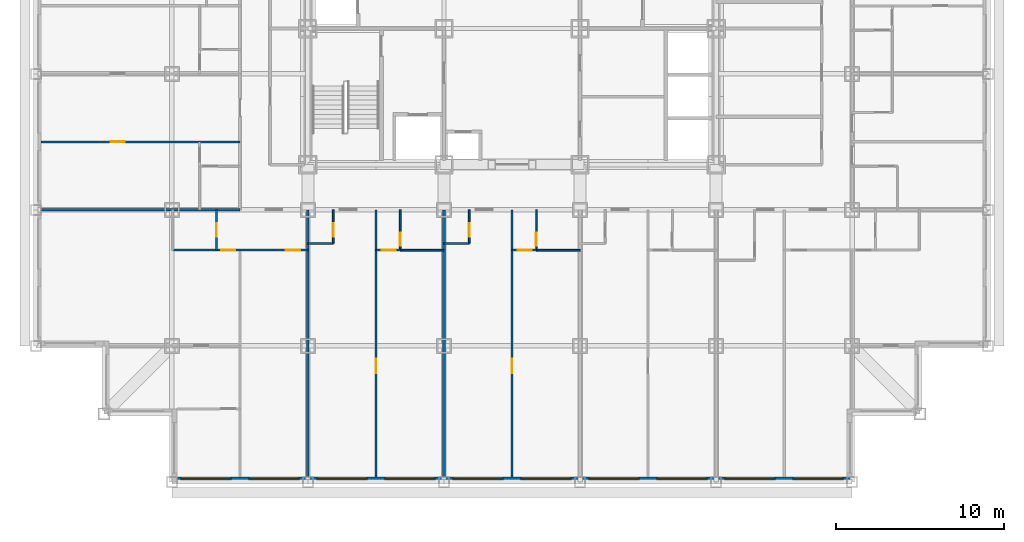
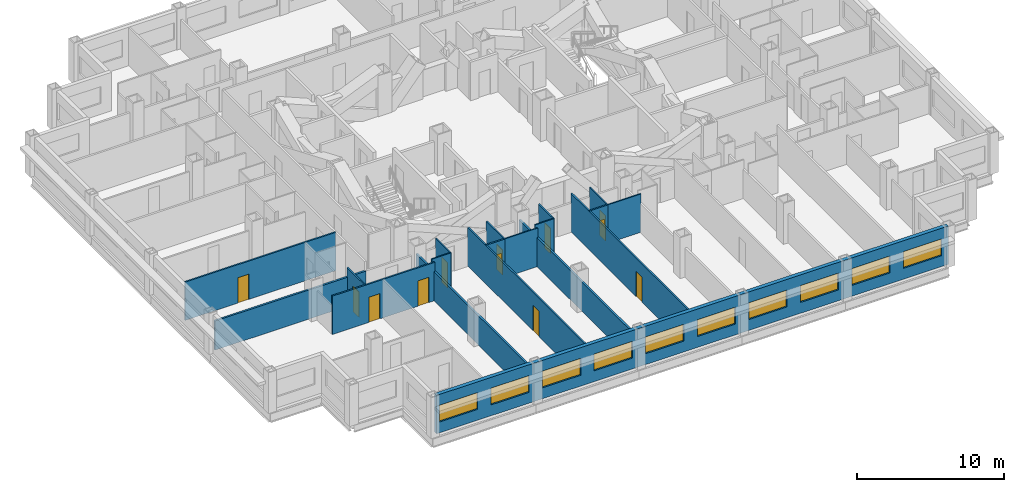
# One storey, part 4 of 12: 19 walls, 12 doors, 10 windows, 22 openings.
"""IFC4 building model written with IfcOpenShell, lengths in metres."""

from ifc_helpers import new_model, si_unit, direction, frame, frame_2d, origin, place, context, subcontext, project, spatial, rectangle, extrude, material, layer, layer_set, type_object, element, fill, save


model = new_model("IFC4")

# Units and contexts
model_context = context("Model", 3, precision=1e-05, world=origin(), true_north=direction((0.0, 1.0)))
body_context = subcontext(model_context, "Body", "Model", "MODEL_VIEW")
ifc_project = project(units=[si_unit("LENGTHUNIT", "METRE"), si_unit("AREAUNIT", "SQUARE_METRE"), si_unit("VOLUMEUNIT", "CUBIC_METRE"), si_unit("PLANEANGLEUNIT", "RADIAN"), si_unit("MASSUNIT", "GRAM", prefix="KILO")], contexts=[model_context])

# Site, building, storey
site_placement = place(None, origin())
site = spatial("IfcSite", under=ifc_project, at=site_placement, CompositionType="ELEMENT")
building_placement = place(site_placement, origin())
building = spatial("IfcBuilding", under=site, at=building_placement, Name="Kopane Lantern Tower", CompositionType="ELEMENT")
storey_placement = place(building_placement, frame((0.0, 0.0, 147.60009765625)))
storey = spatial("IfcBuildingStorey", under=building, at=storey_placement, Name="L38", CompositionType="ELEMENT", Elevation=147.60009765625)

# Wall, opening, door
ifc_material_1 = material(Name="Gypsum board on steel studs", Category="steel")
ifc_layer_1 = layer(ifc_material_1, 0.1201171875)
ifc_layer_set_1 = layer_set([ifc_layer_1], Name="APARTMENT INTERNAL WALL 120")
wall_type_1 = type_object("IfcWallType", Name="APARTMENT INTERNAL WALL 120", PredefinedType="PARTITIONING", material=ifc_layer_set_1)
wall_1_placement = place(storey_placement, frame((20.25, 21.60009765625, 0.0), z_axis=(0.0, 0.0, 1.0), x_axis=(0.0, -1.0, 0.0)))
wall_1 = element("IfcWall", 1, at=wall_1_placement, inside=storey, type_object=wall_type_1, Name="Apartment Internal Wall 120 L38", PredefinedType="PARTITIONING", context=body_context, shape_type="SweptSolid", body=[
    extrude(rectangle(XDim=15.900146484375, YDim=0.1201171875, at=frame_2d((7.9501953125, 0.0))), origin(), (0.0, 0.0, 1.0), 3.18994140625),
])
opening_1_placement = place(wall_1_placement, frame((8.875, 0.0, 0.0)))
opening_1 = element("IfcOpeningElement", 2, at=opening_1_placement, cuts=wall_1, Name="Opening L38-015", PredefinedType="OPENING", context=body_context, shape_type="SweptSolid", body=[
    extrude(rectangle(XDim=0.85009765625, YDim=2.10009765625, at=frame_2d((0.425048828125, 1.050048828125))), frame((0.0, 0.070068359375, 0.0), z_axis=(0.0, -1.0, 0.0), x_axis=(1.0, 0.0, 0.0)), (0.0, 0.0, 1.0), 0.14013671875),
])
ifc_material_2 = material(Name="Timber door set", Category="wood")
door_type_1 = type_object("IfcDoorType", Name="DOOR D4 850x2100", OperationType="SINGLE_SWING_LEFT", PredefinedType="DOOR", material=ifc_material_2)
door_1_placement = place(opening_1_placement, origin())
door_1 = element("IfcDoor", 3, at=door_1_placement, inside=storey, type_object=door_type_1, Name="Door L38-015", OperationType="SINGLE_SWING_LEFT", OverallHeight=2.10009765625, OverallWidth=0.85009765625, PredefinedType="DOOR", context=body_context, shape_type="SweptSolid", body=[
    extrude(rectangle(XDim=0.85009765625, YDim=2.10009765625, at=frame_2d((0.425048828125, 1.050048828125))), frame((0.0, 0.02490234375, 0.0), z_axis=(0.0, -1.0, 0.0), x_axis=(1.0, 0.0, 0.0)), (0.0, 0.0, 1.0), 0.050048828125),
])
fill(opening_1, door_1)

wall_2_placement = place(storey_placement, frame((28.35009765625, 21.60009765625, 0.0), z_axis=(0.0, 0.0, 1.0), x_axis=(0.0, -1.0, 0.0)))
wall_2 = element("IfcWall", 4, at=wall_2_placement, inside=storey, type_object=wall_type_1, Name="Apartment Internal Wall 120 L38", PredefinedType="PARTITIONING", context=body_context, shape_type="SweptSolid", body=[
    extrude(rectangle(XDim=15.900146484375, YDim=0.1201171875, at=frame_2d((7.9501953125, 0.0))), origin(), (0.0, 0.0, 1.0), 3.18994140625),
])
opening_2_placement = place(wall_2_placement, frame((8.875, 0.0, 0.0)))
opening_2 = element("IfcOpeningElement", 5, at=opening_2_placement, cuts=wall_2, Name="Opening L38-019", PredefinedType="OPENING", context=body_context, shape_type="SweptSolid", body=[
    extrude(rectangle(XDim=0.85009765625, YDim=2.10009765625, at=frame_2d((0.425048828125, 1.050048828125))), frame((0.0, 0.070068359375, 0.0), z_axis=(0.0, -1.0, 0.0), x_axis=(1.0, 0.0, 0.0)), (0.0, 0.0, 1.0), 0.14013671875),
])
door_2_placement = place(opening_2_placement, origin())
door_2 = element("IfcDoor", 6, at=door_2_placement, inside=storey, type_object=door_type_1, Name="Door L38-019", OperationType="SINGLE_SWING_LEFT", OverallHeight=2.10009765625, OverallWidth=0.85009765625, PredefinedType="DOOR", context=body_context, shape_type="SweptSolid", body=[
    extrude(rectangle(XDim=0.85009765625, YDim=2.10009765625, at=frame_2d((0.425048828125, 1.050048828125))), frame((0.0, 0.02490234375, 0.0), z_axis=(0.0, -1.0, 0.0), x_axis=(1.0, 0.0, 0.0)), (0.0, 0.0, 1.0), 0.050048828125),
])
fill(opening_2, door_2)

wall_3_placement = place(storey_placement, frame((12.14990234375, 25.64990234375, 0.0), z_axis=(0.0, 0.0, 1.0), x_axis=(-1.0, 0.0, 0.0)))
wall_3 = element("IfcWall", 7, at=wall_3_placement, inside=storey, type_object=wall_type_1, Name="Apartment Internal Wall 120 L38", PredefinedType="PARTITIONING", context=body_context, shape_type="SweptSolid", body=[
    extrude(rectangle(XDim=11.849853515625, YDim=0.1201171875, at=frame_2d((5.9248046875, 0.0))), origin(), (0.0, 0.0, 1.0), 3.18994140625),
])
opening_3_placement = place(wall_3_placement, frame((6.85009765625, 0.0, 0.0)))
opening_3 = element("IfcOpeningElement", 8, at=opening_3_placement, cuts=wall_3, Name="Opening L38-036", PredefinedType="OPENING", context=body_context, shape_type="SweptSolid", body=[
    extrude(rectangle(XDim=0.85009765625, YDim=2.10009765625, at=frame_2d((0.425048828125, 1.050048828125))), frame((0.0, 0.070068359375, 0.0), z_axis=(0.0, -1.0, 0.0), x_axis=(1.0, 0.0, 0.0)), (0.0, 0.0, 1.0), 0.14013671875),
])
door_3_placement = place(opening_3_placement, origin())
door_3 = element("IfcDoor", 9, at=door_3_placement, inside=storey, type_object=door_type_1, Name="Door L38-036", OperationType="SINGLE_SWING_LEFT", OverallHeight=2.10009765625, OverallWidth=0.85009765625, PredefinedType="DOOR", context=body_context, shape_type="SweptSolid", body=[
    extrude(rectangle(XDim=0.85009765625, YDim=2.10009765625, at=frame_2d((0.425048828125, 1.050048828125))), frame((0.0, 0.02490234375, 0.0), z_axis=(0.0, -1.0, 0.0), x_axis=(1.0, 0.0, 0.0)), (0.0, 0.0, 1.0), 0.050048828125),
])
fill(opening_3, door_3)

# Wall, openings, doors
wall_4_placement = place(storey_placement, frame((8.14990234375, 19.199951171875, 0.0), z_axis=(0.0, 0.0, 1.0), x_axis=(1.0, 0.0, 0.0)))
wall_4 = element("IfcWall", 10, at=wall_4_placement, inside=storey, type_object=wall_type_1, Name="Apartment Internal Wall 120 L38", PredefinedType="PARTITIONING", context=body_context, shape_type="SweptSolid", body=[
    extrude(rectangle(XDim=8.050048828125, YDim=0.1201171875, at=frame_2d((4.02490234375, 0.0))), origin(), (0.0, 0.0, 1.0), 3.18994140625),
])
opening_4_placement = place(wall_4_placement, frame((6.72509765625, 0.0, 0.0)))
opening_4 = element("IfcOpeningElement", 11, at=opening_4_placement, cuts=wall_4, Name="Opening L38-057", PredefinedType="OPENING", context=body_context, shape_type="SweptSolid", body=[
    extrude(rectangle(XDim=0.85009765625, YDim=2.10009765625, at=frame_2d((0.425048828125, 1.050048828125))), frame((0.0, 0.070068359375, 0.0), z_axis=(0.0, -1.0, 0.0), x_axis=(1.0, 0.0, 0.0)), (0.0, 0.0, 1.0), 0.14013671875),
])
opening_5_placement = place(wall_4_placement, frame((2.875, 0.0, 0.0)))
opening_5 = element("IfcOpeningElement", 12, at=opening_5_placement, cuts=wall_4, Name="Opening L38-059", PredefinedType="OPENING", context=body_context, shape_type="SweptSolid", body=[
    extrude(rectangle(XDim=0.85009765625, YDim=2.10009765625, at=frame_2d((0.425048828125, 1.050048828125))), frame((0.0, 0.070068359375, 0.0), z_axis=(0.0, -1.0, 0.0), x_axis=(1.0, 0.0, 0.0)), (0.0, 0.0, 1.0), 0.14013671875),
])
door_4_placement = place(opening_4_placement, origin())
door_4 = element("IfcDoor", 13, at=door_4_placement, inside=storey, type_object=door_type_1, Name="Door L38-057", OperationType="SINGLE_SWING_RIGHT", OverallHeight=2.10009765625, OverallWidth=0.85009765625, PredefinedType="DOOR", context=body_context, shape_type="SweptSolid", body=[
    extrude(rectangle(XDim=0.85009765625, YDim=2.10009765625, at=frame_2d((0.425048828125, 1.050048828125))), frame((0.0, 0.02490234375, 0.0), z_axis=(0.0, -1.0, 0.0), x_axis=(1.0, 0.0, 0.0)), (0.0, 0.0, 1.0), 0.050048828125),
])
fill(opening_4, door_4)
door_5_placement = place(opening_5_placement, origin())
door_5 = element("IfcDoor", 14, at=door_5_placement, inside=storey, type_object=door_type_1, Name="Door L38-059", OperationType="SINGLE_SWING_LEFT", OverallHeight=2.10009765625, OverallWidth=0.85009765625, PredefinedType="DOOR", context=body_context, shape_type="SweptSolid", body=[
    extrude(rectangle(XDim=0.85009765625, YDim=2.10009765625, at=frame_2d((0.425048828125, 1.050048828125))), frame((0.0, 0.02490234375, 0.0), z_axis=(0.0, -1.0, 0.0), x_axis=(1.0, 0.0, 0.0)), (0.0, 0.0, 1.0), 0.050048828125),
])
fill(opening_5, door_5)

# Wall, opening, door
wall_5_placement = place(storey_placement, frame((21.7099609375, 19.199951171875, 0.0), z_axis=(0.0, 0.0, 1.0), x_axis=(-1.0, 0.0, 0.0)))
wall_5 = element("IfcWall", 15, at=wall_5_placement, inside=storey, type_object=wall_type_1, Name="Apartment Internal Wall 120 L38", PredefinedType="PARTITIONING", context=body_context, shape_type="SweptSolid", body=[
    extrude(rectangle(XDim=1.4599609375, YDim=0.1201171875, at=frame_2d((0.72998046875, 0.0))), origin(), (0.0, 0.0, 1.0), 3.18994140625),
])
opening_6_placement = place(wall_5_placement, frame((0.27490234375, 0.0, 0.0)))
opening_6 = element("IfcOpeningElement", 16, at=opening_6_placement, cuts=wall_5, Name="Opening L38-073", PredefinedType="OPENING", context=body_context, shape_type="SweptSolid", body=[
    extrude(rectangle(XDim=0.85009765625, YDim=2.10009765625, at=frame_2d((0.425048828125, 1.050048828125))), frame((0.0, 0.070068359375, 0.0), z_axis=(0.0, -1.0, 0.0), x_axis=(1.0, 0.0, 0.0)), (0.0, 0.0, 1.0), 0.14013671875),
])
door_6_placement = place(opening_6_placement, origin())
door_6 = element("IfcDoor", 17, at=door_6_placement, inside=storey, type_object=door_type_1, Name="Door L38-073", OperationType="SINGLE_SWING_RIGHT", OverallHeight=2.10009765625, OverallWidth=0.85009765625, PredefinedType="DOOR", context=body_context, shape_type="SweptSolid", body=[
    extrude(rectangle(XDim=0.85009765625, YDim=2.10009765625, at=frame_2d((0.425048828125, 1.050048828125))), frame((0.0, 0.02490234375, 0.0), z_axis=(0.0, -1.0, 0.0), x_axis=(1.0, 0.0, 0.0)), (0.0, 0.0, 1.0), 0.050048828125),
])
fill(opening_6, door_6)

wall_6_placement = place(storey_placement, frame((29.81005859375, 19.199951171875, 0.0), z_axis=(0.0, 0.0, 1.0), x_axis=(-1.0, 0.0, 0.0)))
wall_6 = element("IfcWall", 18, at=wall_6_placement, inside=storey, type_object=wall_type_1, Name="Apartment Internal Wall 120 L38", PredefinedType="PARTITIONING", context=body_context, shape_type="SweptSolid", body=[
    extrude(rectangle(XDim=1.4599609375, YDim=0.1201171875, at=frame_2d((0.72998046875, 0.0))), origin(), (0.0, 0.0, 1.0), 3.18994140625),
])
opening_7_placement = place(wall_6_placement, frame((0.27490234375, 0.0, 0.0)))
opening_7 = element("IfcOpeningElement", 19, at=opening_7_placement, cuts=wall_6, Name="Opening L38-074", PredefinedType="OPENING", context=body_context, shape_type="SweptSolid", body=[
    extrude(rectangle(XDim=0.85009765625, YDim=2.10009765625, at=frame_2d((0.425048828125, 1.050048828125))), frame((0.0, 0.070068359375, 0.0), z_axis=(0.0, -1.0, 0.0), x_axis=(1.0, 0.0, 0.0)), (0.0, 0.0, 1.0), 0.14013671875),
])
door_7_placement = place(opening_7_placement, origin())
door_7 = element("IfcDoor", 20, at=door_7_placement, inside=storey, type_object=door_type_1, Name="Door L38-074", OperationType="SINGLE_SWING_RIGHT", OverallHeight=2.10009765625, OverallWidth=0.85009765625, PredefinedType="DOOR", context=body_context, shape_type="SweptSolid", body=[
    extrude(rectangle(XDim=0.85009765625, YDim=2.10009765625, at=frame_2d((0.425048828125, 1.050048828125))), frame((0.0, 0.02490234375, 0.0), z_axis=(0.0, -1.0, 0.0), x_axis=(1.0, 0.0, 0.0)), (0.0, 0.0, 1.0), 0.050048828125),
])
fill(opening_7, door_7)

# Wall
ifc_material_3 = material(Name="Moisture-resistant board on steel studs", Category="steel")
ifc_layer_2 = layer(ifc_material_3, 0.10009765625)
ifc_layer_set_2 = layer_set([ifc_layer_2], Name="BATHROOM WALL 100")
wall_type_2 = type_object("IfcWallType", Name="BATHROOM WALL 100", PredefinedType="PARTITIONING", material=ifc_layer_set_2)
wall_7_placement = place(storey_placement, frame((16.199951171875, 19.60009765625, 0.0), z_axis=(0.0, 0.0, 1.0), x_axis=(1.0, 0.0, 0.0)))
element("IfcWall", 21, at=wall_7_placement, inside=storey, type_object=wall_type_2, Name="Bathroom Wall 100 L38", PredefinedType="PARTITIONING", context=body_context, shape_type="SweptSolid", body=[
    extrude(rectangle(XDim=1.5, YDim=0.10009765625, at=frame_2d((0.75, 0.0))), origin(), (0.0, 0.0, 1.0), 3.18994140625),
])

# Wall, opening, door
wall_8_placement = place(storey_placement, frame((17.699951171875, 21.60009765625, 0.0), z_axis=(0.0, 0.0, 1.0), x_axis=(0.0, -1.0, 0.0)))
wall_8 = element("IfcWall", 22, at=wall_8_placement, inside=storey, type_object=wall_type_2, Name="Bathroom Wall 100 L38", PredefinedType="PARTITIONING", context=body_context, shape_type="SweptSolid", body=[
    extrude(rectangle(XDim=2.0, YDim=0.10009765625, at=frame_2d((1.0, 0.0))), origin(), (0.0, 0.0, 1.0), 3.18994140625),
])
opening_8_placement = place(wall_8_placement, frame((0.800048828125, 0.0, 0.0)))
opening_8 = element("IfcOpeningElement", 23, at=opening_8_placement, cuts=wall_8, Name="Opening L38-012", PredefinedType="OPENING", context=body_context, shape_type="SweptSolid", body=[
    extrude(rectangle(XDim=0.800048828125, YDim=2.10009765625, at=frame_2d((0.39990234375, 1.050048828125))), frame((0.0, 0.06005859375, 0.0), z_axis=(0.0, -1.0, 0.0), x_axis=(1.0, 0.0, 0.0)), (0.0, 0.0, 1.0), 0.1201171875),
])
ifc_material_4 = material(Name="Timber door set", Category="wood")
door_type_2 = type_object("IfcDoorType", Name="DOOR D2 800x2100", OperationType="SINGLE_SWING_LEFT", PredefinedType="DOOR", material=ifc_material_4)
door_8_placement = place(opening_8_placement, origin())
door_8 = element("IfcDoor", 24, at=door_8_placement, inside=storey, type_object=door_type_2, Name="Door L38-012", OperationType="SINGLE_SWING_LEFT", OverallHeight=2.10009765625, OverallWidth=0.800048828125, PredefinedType="DOOR", context=body_context, shape_type="SweptSolid", body=[
    extrude(rectangle(XDim=0.800048828125, YDim=2.10009765625, at=frame_2d((0.39990234375, 1.050048828125))), frame((0.0, 0.02490234375, 0.0), z_axis=(0.0, -1.0, 0.0), x_axis=(1.0, 0.0, 0.0)), (0.0, 0.0, 1.0), 0.050048828125),
])
fill(opening_8, door_8)

# Wall
wall_9_placement = place(storey_placement, frame((21.699951171875, 19.199951171875, 0.0), z_axis=(0.0, 0.0, 1.0), x_axis=(1.0, 0.0, 0.0)))
element("IfcWall", 25, at=wall_9_placement, inside=storey, type_object=wall_type_2, Name="Bathroom Wall 100 L38", PredefinedType="PARTITIONING", context=body_context, shape_type="SweptSolid", body=[
    extrude(rectangle(XDim=2.60009765625, YDim=0.10009765625, at=frame_2d((1.300048828125, 0.0))), origin(), (0.0, 0.0, 1.0), 3.18994140625),
])

# Wall, opening, door
wall_10_placement = place(storey_placement, frame((21.699951171875, 21.60009765625, 0.0), z_axis=(0.0, 0.0, 1.0), x_axis=(0.0, -1.0, 0.0)))
wall_10 = element("IfcWall", 26, at=wall_10_placement, inside=storey, type_object=wall_type_2, Name="Bathroom Wall 100 L38", PredefinedType="PARTITIONING", context=body_context, shape_type="SweptSolid", body=[
    extrude(rectangle(XDim=2.400146484375, YDim=0.10009765625, at=frame_2d((1.2001953125, 0.0))), origin(), (0.0, 0.0, 1.0), 3.18994140625),
])
opening_9_placement = place(wall_10_placement, frame((1.35009765625, 0.0, 0.0)))
opening_9 = element("IfcOpeningElement", 27, at=opening_9_placement, cuts=wall_10, Name="Opening L38-014", PredefinedType="OPENING", context=body_context, shape_type="SweptSolid", body=[
    extrude(rectangle(XDim=0.800048828125, YDim=2.10009765625, at=frame_2d((0.39990234375, 1.050048828125))), frame((0.0, 0.06005859375, 0.0), z_axis=(0.0, -1.0, 0.0), x_axis=(1.0, 0.0, 0.0)), (0.0, 0.0, 1.0), 0.1201171875),
])
door_9_placement = place(opening_9_placement, origin())
door_9 = element("IfcDoor", 28, at=door_9_placement, inside=storey, type_object=door_type_2, Name="Door L38-014", OperationType="SINGLE_SWING_LEFT", OverallHeight=2.10009765625, OverallWidth=0.800048828125, PredefinedType="DOOR", context=body_context, shape_type="SweptSolid", body=[
    extrude(rectangle(XDim=0.800048828125, YDim=2.10009765625, at=frame_2d((0.39990234375, 1.050048828125))), frame((0.0, 0.02490234375, 0.0), z_axis=(0.0, -1.0, 0.0), x_axis=(1.0, 0.0, 0.0)), (0.0, 0.0, 1.0), 0.050048828125),
])
fill(opening_9, door_9)

# Wall
wall_11_placement = place(storey_placement, frame((24.300048828125, 19.60009765625, 0.0), z_axis=(0.0, 0.0, 1.0), x_axis=(1.0, 0.0, 0.0)))
element("IfcWall", 29, at=wall_11_placement, inside=storey, type_object=wall_type_2, Name="Bathroom Wall 100 L38", PredefinedType="PARTITIONING", context=body_context, shape_type="SweptSolid", body=[
    extrude(rectangle(XDim=1.5, YDim=0.10009765625, at=frame_2d((0.75, 0.0))), origin(), (0.0, 0.0, 1.0), 3.18994140625),
])

# Wall, opening, door
wall_12_placement = place(storey_placement, frame((25.800048828125, 21.60009765625, 0.0), z_axis=(0.0, 0.0, 1.0), x_axis=(0.0, -1.0, 0.0)))
wall_12 = element("IfcWall", 30, at=wall_12_placement, inside=storey, type_object=wall_type_2, Name="Bathroom Wall 100 L38", PredefinedType="PARTITIONING", context=body_context, shape_type="SweptSolid", body=[
    extrude(rectangle(XDim=2.0, YDim=0.10009765625, at=frame_2d((1.0, 0.0))), origin(), (0.0, 0.0, 1.0), 3.18994140625),
])
opening_10_placement = place(wall_12_placement, frame((0.800048828125, 0.0, 0.0)))
opening_10 = element("IfcOpeningElement", 31, at=opening_10_placement, cuts=wall_12, Name="Opening L38-016", PredefinedType="OPENING", context=body_context, shape_type="SweptSolid", body=[
    extrude(rectangle(XDim=0.800048828125, YDim=2.10009765625, at=frame_2d((0.39990234375, 1.050048828125))), frame((0.0, 0.06005859375, 0.0), z_axis=(0.0, -1.0, 0.0), x_axis=(1.0, 0.0, 0.0)), (0.0, 0.0, 1.0), 0.1201171875),
])
door_10_placement = place(opening_10_placement, origin())
door_10 = element("IfcDoor", 32, at=door_10_placement, inside=storey, type_object=door_type_2, Name="Door L38-016", OperationType="SINGLE_SWING_LEFT", OverallHeight=2.10009765625, OverallWidth=0.800048828125, PredefinedType="DOOR", context=body_context, shape_type="SweptSolid", body=[
    extrude(rectangle(XDim=0.800048828125, YDim=2.10009765625, at=frame_2d((0.39990234375, 1.050048828125))), frame((0.0, 0.02490234375, 0.0), z_axis=(0.0, -1.0, 0.0), x_axis=(1.0, 0.0, 0.0)), (0.0, 0.0, 1.0), 0.050048828125),
])
fill(opening_10, door_10)

# Wall
wall_13_placement = place(storey_placement, frame((29.800048828125, 19.199951171875, 0.0), z_axis=(0.0, 0.0, 1.0), x_axis=(1.0, 0.0, 0.0)))
element("IfcWall", 33, at=wall_13_placement, inside=storey, type_object=wall_type_2, Name="Bathroom Wall 100 L38", PredefinedType="PARTITIONING", context=body_context, shape_type="SweptSolid", body=[
    extrude(rectangle(XDim=2.599853515625, YDim=0.10009765625, at=frame_2d((1.2998046875, 0.0))), origin(), (0.0, 0.0, 1.0), 3.18994140625),
])

# Wall, opening, door
wall_14_placement = place(storey_placement, frame((29.800048828125, 21.60009765625, 0.0), z_axis=(0.0, 0.0, 1.0), x_axis=(0.0, -1.0, 0.0)))
wall_14 = element("IfcWall", 34, at=wall_14_placement, inside=storey, type_object=wall_type_2, Name="Bathroom Wall 100 L38", PredefinedType="PARTITIONING", context=body_context, shape_type="SweptSolid", body=[
    extrude(rectangle(XDim=2.400146484375, YDim=0.10009765625, at=frame_2d((1.2001953125, 0.0))), origin(), (0.0, 0.0, 1.0), 3.18994140625),
])
opening_11_placement = place(wall_14_placement, frame((1.35009765625, 0.0, 0.0)))
opening_11 = element("IfcOpeningElement", 35, at=opening_11_placement, cuts=wall_14, Name="Opening L38-018", PredefinedType="OPENING", context=body_context, shape_type="SweptSolid", body=[
    extrude(rectangle(XDim=0.800048828125, YDim=2.10009765625, at=frame_2d((0.39990234375, 1.050048828125))), frame((0.0, 0.06005859375, 0.0), z_axis=(0.0, -1.0, 0.0), x_axis=(1.0, 0.0, 0.0)), (0.0, 0.0, 1.0), 0.1201171875),
])
door_11_placement = place(opening_11_placement, origin())
door_11 = element("IfcDoor", 36, at=door_11_placement, inside=storey, type_object=door_type_2, Name="Door L38-018", OperationType="SINGLE_SWING_LEFT", OverallHeight=2.10009765625, OverallWidth=0.800048828125, PredefinedType="DOOR", context=body_context, shape_type="SweptSolid", body=[
    extrude(rectangle(XDim=0.800048828125, YDim=2.10009765625, at=frame_2d((0.39990234375, 1.050048828125))), frame((0.0, 0.02490234375, 0.0), z_axis=(0.0, -1.0, 0.0), x_axis=(1.0, 0.0, 0.0)), (0.0, 0.0, 1.0), 0.050048828125),
])
fill(opening_11, door_11)

wall_15_placement = place(storey_placement, frame((10.75, 21.60009765625, 0.0), z_axis=(0.0, 0.0, 1.0), x_axis=(0.0, -1.0, 0.0)))
wall_15 = element("IfcWall", 37, at=wall_15_placement, inside=storey, type_object=wall_type_2, Name="Bathroom Wall 100 L38", PredefinedType="PARTITIONING", context=body_context, shape_type="SweptSolid", body=[
    extrude(rectangle(XDim=2.400146484375, YDim=0.10009765625, at=frame_2d((1.2001953125, 0.0))), origin(), (0.0, 0.0, 1.0), 3.18994140625),
])
opening_12_placement = place(wall_15_placement, frame((0.800048828125, 0.0, 0.0)))
opening_12 = element("IfcOpeningElement", 38, at=opening_12_placement, cuts=wall_15, Name="Opening L38-058", PredefinedType="OPENING", context=body_context, shape_type="SweptSolid", body=[
    extrude(rectangle(XDim=0.800048828125, YDim=2.10009765625, at=frame_2d((0.39990234375, 1.050048828125))), frame((0.0, 0.06005859375, 0.0), z_axis=(0.0, -1.0, 0.0), x_axis=(1.0, 0.0, 0.0)), (0.0, 0.0, 1.0), 0.1201171875),
])
door_12_placement = place(opening_12_placement, origin())
door_12 = element("IfcDoor", 39, at=door_12_placement, inside=storey, type_object=door_type_2, Name="Door L38-058", OperationType="SINGLE_SWING_RIGHT", OverallHeight=2.10009765625, OverallWidth=0.800048828125, PredefinedType="DOOR", context=body_context, shape_type="SweptSolid", body=[
    extrude(rectangle(XDim=0.800048828125, YDim=2.10009765625, at=frame_2d((0.39990234375, 1.050048828125))), frame((0.0, 0.02490234375, 0.0), z_axis=(0.0, -1.0, 0.0), x_axis=(1.0, 0.0, 0.0)), (0.0, 0.0, 1.0), 0.050048828125),
])
fill(opening_12, door_12)

# Walls
ifc_material_5 = material(Name="Gypsum board on steel studs", Category="steel")
ifc_layer_3 = layer(ifc_material_5, 0.14990234375)
ifc_layer_set_3 = layer_set([ifc_layer_3], Name="DEMISING WALL 150 EI 60")
wall_type_3 = type_object("IfcWallType", Name="DEMISING WALL 150 EI 60", PredefinedType="PARTITIONING", material=ifc_layer_set_3)
wall_16_placement = place(storey_placement, frame((24.300048828125, 21.60009765625, 0.0), z_axis=(0.0, 0.0, 1.0), x_axis=(0.0, -1.0, 0.0)))
element("IfcWall", 40, at=wall_16_placement, inside=storey, type_object=wall_type_3, Name="Demising Wall 150 Ei 60 L38", PredefinedType="PARTITIONING", context=body_context, shape_type="SweptSolid", body=[
    extrude(rectangle(XDim=15.900146484375, YDim=0.14990234375, at=frame_2d((7.9501953125, 0.0))), origin(), (0.0, 0.0, 1.0), 2.420166015625),
])
wall_17_placement = place(storey_placement, frame((0.300048828125, 21.60009765625, 0.0), z_axis=(0.0, 0.0, 1.0), x_axis=(1.0, 0.0, 0.0)))
element("IfcWall", 41, at=wall_17_placement, inside=storey, type_object=wall_type_3, Name="Demising Wall 150 Ei 60 L38", PredefinedType="PARTITIONING", context=body_context, shape_type="SweptSolid", body=[
    extrude(rectangle(XDim=11.849853515625, YDim=0.14990234375, at=frame_2d((5.9248046875, 0.0))), origin(), (0.0, 0.0, 1.0), 2.420166015625),
])
wall_18_placement = place(storey_placement, frame((16.199951171875, 21.60009765625, 0.0), z_axis=(0.0, 0.0, 1.0), x_axis=(0.0, -1.0, 0.0)))
element("IfcWall", 42, at=wall_18_placement, inside=storey, type_object=wall_type_3, Name="Demising Wall 150 Ei 60 L38", PredefinedType="PARTITIONING", context=body_context, shape_type="SweptSolid", body=[
    extrude(rectangle(XDim=15.900146484375, YDim=0.14990234375, at=frame_2d((7.9501953125, 0.0))), origin(), (0.0, 0.0, 1.0), 2.420166015625),
])

# Wall, openings, windows
ifc_material_6 = material(Name="Terracotta rainscreen on light steel framing", Category="masonry")
ifc_layer_4 = layer(ifc_material_6, 0.300048828125)
ifc_layer_set_4 = layer_set([ifc_layer_4], Name="EXTERNAL WALL EW1 300 TERRACOTTA")
wall_type_4 = type_object("IfcWallType", Name="EXTERNAL WALL EW1 300 TERRACOTTA", PredefinedType="SOLIDWALL", material=ifc_layer_set_4)
wall_19_placement = place(storey_placement, frame((8.39990234375, 5.550048828125, 0.0), z_axis=(0.0, 0.0, 1.0), x_axis=(1.0, 0.0, 0.0)))
wall_19 = element("IfcWall", 43, at=wall_19_placement, inside=storey, type_object=wall_type_4, Name="External wall S L38", PredefinedType="SOLIDWALL", context=body_context, shape_type="SweptSolid", body=[
    extrude(rectangle(XDim=40.2001953125, YDim=0.300048828125, at=frame_2d((20.10009765625, 0.0))), origin(), (0.0, 0.0, 1.0), 3.18994140625),
])
opening_13_placement = place(wall_19_placement, frame((0.22509765625, 0.0, 0.89990234375)))
opening_13 = element("IfcOpeningElement", 44, at=opening_13_placement, cuts=wall_19, Name="Opening WR300140", PredefinedType="OPENING", context=body_context, shape_type="SweptSolid", body=[
    extrude(rectangle(XDim=3.0, YDim=1.39990234375, at=frame_2d((1.5, 0.699951171875))), frame((0.0, 0.159912109375, 0.0), z_axis=(0.0, -1.0, 0.0), x_axis=(1.0, 0.0, 0.0)), (0.0, 0.0, 1.0), 0.320068359375),
])
opening_14_placement = place(wall_19_placement, frame((4.27490234375, 0.0, 0.89990234375)))
opening_14 = element("IfcOpeningElement", 45, at=opening_14_placement, cuts=wall_19, Name="Opening WR300140", PredefinedType="OPENING", context=body_context, shape_type="SweptSolid", body=[
    extrude(rectangle(XDim=3.0, YDim=1.39990234375, at=frame_2d((1.5, 0.699951171875))), frame((0.0, 0.159912109375, 0.0), z_axis=(0.0, -1.0, 0.0), x_axis=(1.0, 0.0, 0.0)), (0.0, 0.0, 1.0), 0.320068359375),
])
opening_15_placement = place(wall_19_placement, frame((8.324951171875, 0.0, 0.89990234375)))
opening_15 = element("IfcOpeningElement", 46, at=opening_15_placement, cuts=wall_19, Name="Opening WR300140", PredefinedType="OPENING", context=body_context, shape_type="SweptSolid", body=[
    extrude(rectangle(XDim=3.0, YDim=1.39990234375, at=frame_2d((1.5, 0.699951171875))), frame((0.0, 0.159912109375, 0.0), z_axis=(0.0, -1.0, 0.0), x_axis=(1.0, 0.0, 0.0)), (0.0, 0.0, 1.0), 0.320068359375),
])
opening_16_placement = place(wall_19_placement, frame((12.375, 0.0, 0.89990234375)))
opening_16 = element("IfcOpeningElement", 47, at=opening_16_placement, cuts=wall_19, Name="Opening WR300140", PredefinedType="OPENING", context=body_context, shape_type="SweptSolid", body=[
    extrude(rectangle(XDim=3.0, YDim=1.39990234375, at=frame_2d((1.5, 0.699951171875))), frame((0.0, 0.159912109375, 0.0), z_axis=(0.0, -1.0, 0.0), x_axis=(1.0, 0.0, 0.0)), (0.0, 0.0, 1.0), 0.320068359375),
])
opening_17_placement = place(wall_19_placement, frame((16.425048828125, 0.0, 0.89990234375)))
opening_17 = element("IfcOpeningElement", 48, at=opening_17_placement, cuts=wall_19, Name="Opening WR300140", PredefinedType="OPENING", context=body_context, shape_type="SweptSolid", body=[
    extrude(rectangle(XDim=3.0, YDim=1.39990234375, at=frame_2d((1.5, 0.699951171875))), frame((0.0, 0.159912109375, 0.0), z_axis=(0.0, -1.0, 0.0), x_axis=(1.0, 0.0, 0.0)), (0.0, 0.0, 1.0), 0.320068359375),
])
opening_18_placement = place(wall_19_placement, frame((20.47509765625, 0.0, 0.89990234375)))
opening_18 = element("IfcOpeningElement", 49, at=opening_18_placement, cuts=wall_19, Name="Opening WR300140", PredefinedType="OPENING", context=body_context, shape_type="SweptSolid", body=[
    extrude(rectangle(XDim=3.0, YDim=1.39990234375, at=frame_2d((1.5, 0.699951171875))), frame((0.0, 0.159912109375, 0.0), z_axis=(0.0, -1.0, 0.0), x_axis=(1.0, 0.0, 0.0)), (0.0, 0.0, 1.0), 0.320068359375),
])
opening_19_placement = place(wall_19_placement, frame((24.52490234375, 0.0, 0.89990234375)))
opening_19 = element("IfcOpeningElement", 50, at=opening_19_placement, cuts=wall_19, Name="Opening WR300140", PredefinedType="OPENING", context=body_context, shape_type="SweptSolid", body=[
    extrude(rectangle(XDim=3.0, YDim=1.39990234375, at=frame_2d((1.5, 0.699951171875))), frame((0.0, 0.159912109375, 0.0), z_axis=(0.0, -1.0, 0.0), x_axis=(1.0, 0.0, 0.0)), (0.0, 0.0, 1.0), 0.320068359375),
])
opening_20_placement = place(wall_19_placement, frame((28.574951171875, 0.0, 0.89990234375)))
opening_20 = element("IfcOpeningElement", 51, at=opening_20_placement, cuts=wall_19, Name="Opening WR300140", PredefinedType="OPENING", context=body_context, shape_type="SweptSolid", body=[
    extrude(rectangle(XDim=3.0, YDim=1.39990234375, at=frame_2d((1.5, 0.699951171875))), frame((0.0, 0.159912109375, 0.0), z_axis=(0.0, -1.0, 0.0), x_axis=(1.0, 0.0, 0.0)), (0.0, 0.0, 1.0), 0.320068359375),
])
opening_21_placement = place(wall_19_placement, frame((32.625, 0.0, 0.89990234375)))
opening_21 = element("IfcOpeningElement", 52, at=opening_21_placement, cuts=wall_19, Name="Opening WR300140", PredefinedType="OPENING", context=body_context, shape_type="SweptSolid", body=[
    extrude(rectangle(XDim=3.0, YDim=1.39990234375, at=frame_2d((1.5, 0.699951171875))), frame((0.0, 0.159912109375, 0.0), z_axis=(0.0, -1.0, 0.0), x_axis=(1.0, 0.0, 0.0)), (0.0, 0.0, 1.0), 0.320068359375),
])
opening_22_placement = place(wall_19_placement, frame((36.675048828125, 0.0, 0.89990234375)))
opening_22 = element("IfcOpeningElement", 53, at=opening_22_placement, cuts=wall_19, Name="Opening WR300140", PredefinedType="OPENING", context=body_context, shape_type="SweptSolid", body=[
    extrude(rectangle(XDim=3.0, YDim=1.39990234375, at=frame_2d((1.5, 0.699951171875))), frame((0.0, 0.159912109375, 0.0), z_axis=(0.0, -1.0, 0.0), x_axis=(1.0, 0.0, 0.0)), (0.0, 0.0, 1.0), 0.320068359375),
])
ifc_material_7 = material(Name="Aluminium and clear glass", Category="aluminium")
window_type = type_object("IfcWindowType", Name="RIBBON WINDOW WR300140 3000x1400", PartitioningType="SINGLE_PANEL", PredefinedType="WINDOW", material=ifc_material_7)
window_1_placement = place(opening_13_placement, origin())
window_1 = element("IfcWindow", 54, at=window_1_placement, inside=storey, type_object=window_type, Name="Window S L38", OverallHeight=1.39990234375, OverallWidth=3.0, PartitioningType="SINGLE_PANEL", PredefinedType="WINDOW", context=body_context, shape_type="SweptSolid", body=[
    extrude(rectangle(XDim=3.0, YDim=1.39990234375, at=frame_2d((1.5, 0.699951171875))), frame((0.0, 0.030029296875, 0.0), z_axis=(0.0, -1.0, 0.0), x_axis=(1.0, 0.0, 0.0)), (0.0, 0.0, 1.0), 0.06005859375),
])
fill(opening_13, window_1)
window_2_placement = place(opening_14_placement, origin())
window_2 = element("IfcWindow", 55, at=window_2_placement, inside=storey, type_object=window_type, Name="Window S L38", OverallHeight=1.39990234375, OverallWidth=3.0, PartitioningType="SINGLE_PANEL", PredefinedType="WINDOW", context=body_context, shape_type="SweptSolid", body=[
    extrude(rectangle(XDim=3.0, YDim=1.39990234375, at=frame_2d((1.5, 0.699951171875))), frame((0.0, 0.030029296875, 0.0), z_axis=(0.0, -1.0, 0.0), x_axis=(1.0, 0.0, 0.0)), (0.0, 0.0, 1.0), 0.06005859375),
])
fill(opening_14, window_2)
window_3_placement = place(opening_15_placement, origin())
window_3 = element("IfcWindow", 56, at=window_3_placement, inside=storey, type_object=window_type, Name="Window S L38", OverallHeight=1.39990234375, OverallWidth=3.0, PartitioningType="SINGLE_PANEL", PredefinedType="WINDOW", context=body_context, shape_type="SweptSolid", body=[
    extrude(rectangle(XDim=3.0, YDim=1.39990234375, at=frame_2d((1.5, 0.699951171875))), frame((0.0, 0.030029296875, 0.0), z_axis=(0.0, -1.0, 0.0), x_axis=(1.0, 0.0, 0.0)), (0.0, 0.0, 1.0), 0.06005859375),
])
fill(opening_15, window_3)
window_4_placement = place(opening_16_placement, origin())
window_4 = element("IfcWindow", 57, at=window_4_placement, inside=storey, type_object=window_type, Name="Window S L38", OverallHeight=1.39990234375, OverallWidth=3.0, PartitioningType="SINGLE_PANEL", PredefinedType="WINDOW", context=body_context, shape_type="SweptSolid", body=[
    extrude(rectangle(XDim=3.0, YDim=1.39990234375, at=frame_2d((1.5, 0.699951171875))), frame((0.0, 0.030029296875, 0.0), z_axis=(0.0, -1.0, 0.0), x_axis=(1.0, 0.0, 0.0)), (0.0, 0.0, 1.0), 0.06005859375),
])
fill(opening_16, window_4)
window_5_placement = place(opening_17_placement, origin())
window_5 = element("IfcWindow", 58, at=window_5_placement, inside=storey, type_object=window_type, Name="Window S L38", OverallHeight=1.39990234375, OverallWidth=3.0, PartitioningType="SINGLE_PANEL", PredefinedType="WINDOW", context=body_context, shape_type="SweptSolid", body=[
    extrude(rectangle(XDim=3.0, YDim=1.39990234375, at=frame_2d((1.5, 0.699951171875))), frame((0.0, 0.030029296875, 0.0), z_axis=(0.0, -1.0, 0.0), x_axis=(1.0, 0.0, 0.0)), (0.0, 0.0, 1.0), 0.06005859375),
])
fill(opening_17, window_5)
window_6_placement = place(opening_18_placement, origin())
window_6 = element("IfcWindow", 59, at=window_6_placement, inside=storey, type_object=window_type, Name="Window S L38", OverallHeight=1.39990234375, OverallWidth=3.0, PartitioningType="SINGLE_PANEL", PredefinedType="WINDOW", context=body_context, shape_type="SweptSolid", body=[
    extrude(rectangle(XDim=3.0, YDim=1.39990234375, at=frame_2d((1.5, 0.699951171875))), frame((0.0, 0.030029296875, 0.0), z_axis=(0.0, -1.0, 0.0), x_axis=(1.0, 0.0, 0.0)), (0.0, 0.0, 1.0), 0.06005859375),
])
fill(opening_18, window_6)
window_7_placement = place(opening_19_placement, origin())
window_7 = element("IfcWindow", 60, at=window_7_placement, inside=storey, type_object=window_type, Name="Window S L38", OverallHeight=1.39990234375, OverallWidth=3.0, PartitioningType="SINGLE_PANEL", PredefinedType="WINDOW", context=body_context, shape_type="SweptSolid", body=[
    extrude(rectangle(XDim=3.0, YDim=1.39990234375, at=frame_2d((1.5, 0.699951171875))), frame((0.0, 0.030029296875, 0.0), z_axis=(0.0, -1.0, 0.0), x_axis=(1.0, 0.0, 0.0)), (0.0, 0.0, 1.0), 0.06005859375),
])
fill(opening_19, window_7)
window_8_placement = place(opening_20_placement, origin())
window_8 = element("IfcWindow", 61, at=window_8_placement, inside=storey, type_object=window_type, Name="Window S L38", OverallHeight=1.39990234375, OverallWidth=3.0, PartitioningType="SINGLE_PANEL", PredefinedType="WINDOW", context=body_context, shape_type="SweptSolid", body=[
    extrude(rectangle(XDim=3.0, YDim=1.39990234375, at=frame_2d((1.5, 0.699951171875))), frame((0.0, 0.030029296875, 0.0), z_axis=(0.0, -1.0, 0.0), x_axis=(1.0, 0.0, 0.0)), (0.0, 0.0, 1.0), 0.06005859375),
])
fill(opening_20, window_8)
window_9_placement = place(opening_21_placement, origin())
window_9 = element("IfcWindow", 62, at=window_9_placement, inside=storey, type_object=window_type, Name="Window S L38", OverallHeight=1.39990234375, OverallWidth=3.0, PartitioningType="SINGLE_PANEL", PredefinedType="WINDOW", context=body_context, shape_type="SweptSolid", body=[
    extrude(rectangle(XDim=3.0, YDim=1.39990234375, at=frame_2d((1.5, 0.699951171875))), frame((0.0, 0.030029296875, 0.0), z_axis=(0.0, -1.0, 0.0), x_axis=(1.0, 0.0, 0.0)), (0.0, 0.0, 1.0), 0.06005859375),
])
fill(opening_21, window_9)
window_10_placement = place(opening_22_placement, origin())
window_10 = element("IfcWindow", 63, at=window_10_placement, inside=storey, type_object=window_type, Name="Window S L38", OverallHeight=1.39990234375, OverallWidth=3.0, PartitioningType="SINGLE_PANEL", PredefinedType="WINDOW", context=body_context, shape_type="SweptSolid", body=[
    extrude(rectangle(XDim=3.0, YDim=1.39990234375, at=frame_2d((1.5, 0.699951171875))), frame((0.0, 0.030029296875, 0.0), z_axis=(0.0, -1.0, 0.0), x_axis=(1.0, 0.0, 0.0)), (0.0, 0.0, 1.0), 0.06005859375),
])
fill(opening_22, window_10)

save(model, "model.ifc")
